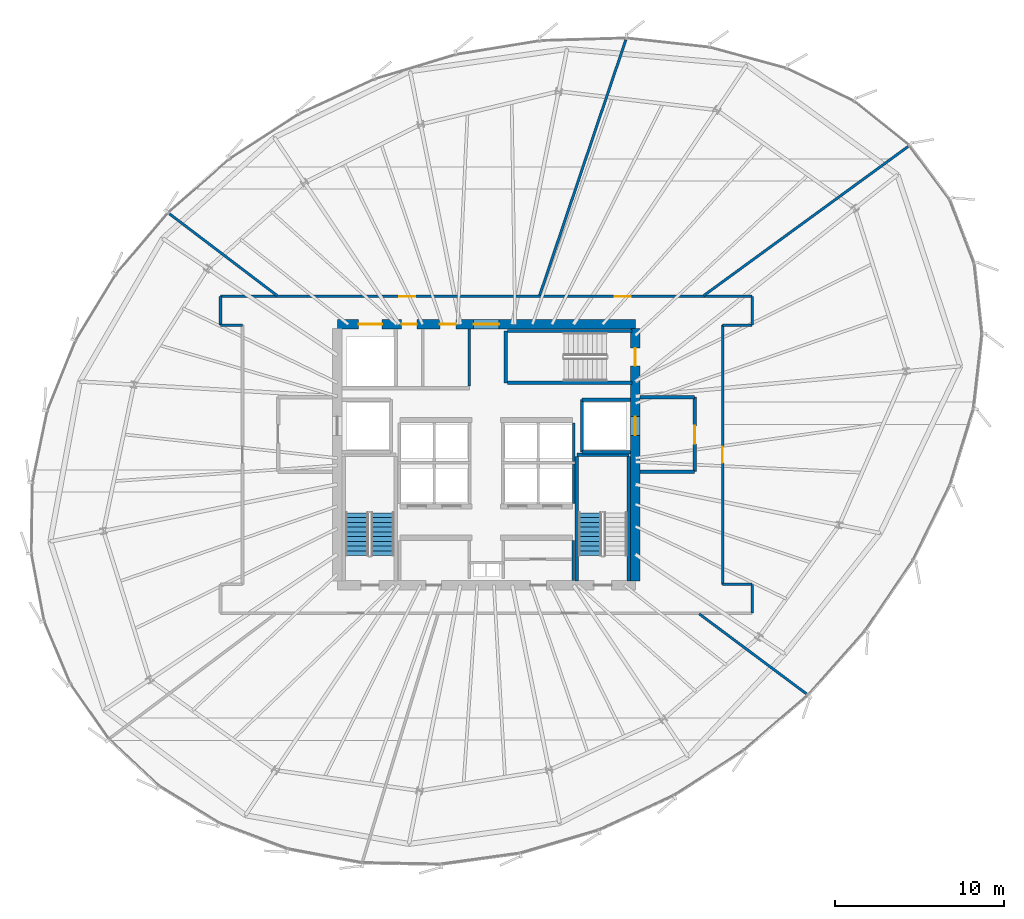
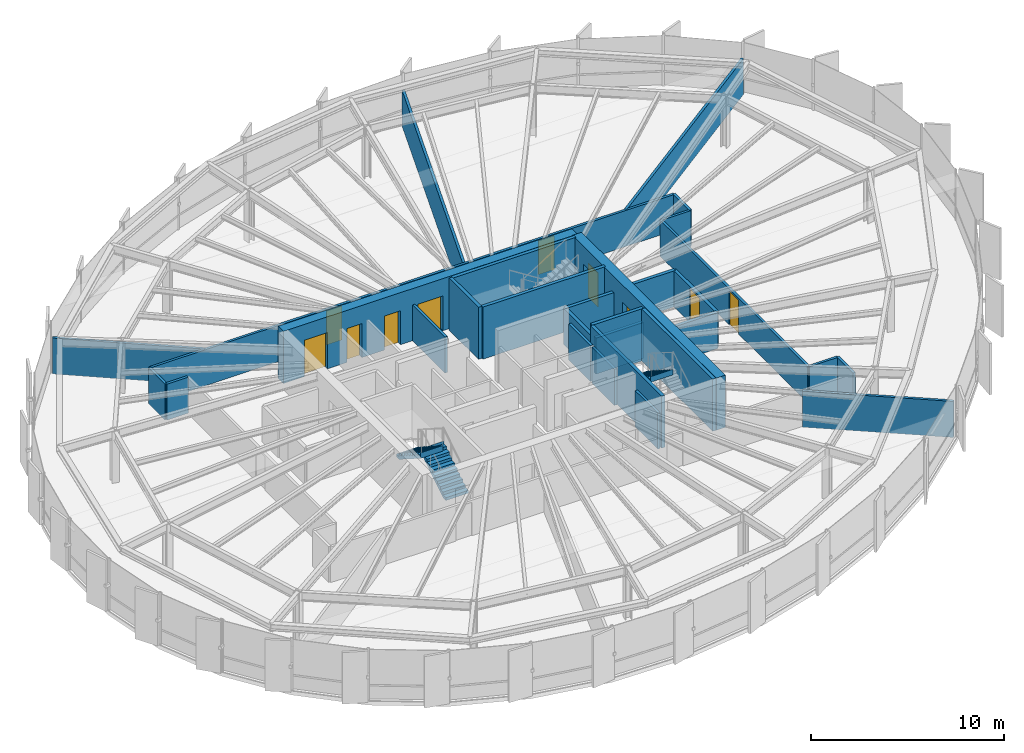
# One storey, part 30 of 36: 30 walls, 10 doors, 3 stair flights, 10 openings, 2 elements without a shape of their own.
"""IFC4 building model written with IfcOpenShell, lengths in metres."""

from ifc_helpers import new_model, si_unit, direction, frame, frame_2d, origin, place, context, subcontext, project, spatial, polyline, rectangle, outline, extrude, source, transform, mapped, material, layer, layer_set, type_object, element, fill, aggregate, save


model = new_model("IFC4")

# Units and contexts
model_context = context("Model", 3, precision=1e-05, world=origin(), true_north=direction((0.0, 1.0)))
body_context = subcontext(model_context, "Body", "Model", "MODEL_VIEW")
ifc_project = project(units=[si_unit("LENGTHUNIT", "METRE"), si_unit("AREAUNIT", "SQUARE_METRE"), si_unit("VOLUMEUNIT", "CUBIC_METRE"), si_unit("PLANEANGLEUNIT", "RADIAN"), si_unit("MASSUNIT", "GRAM", prefix="KILO"), si_unit("THERMODYNAMICTEMPERATUREUNIT", "KELVIN")], contexts=[model_context])

# Site, building, storey
site_placement = place(None, origin())
site = spatial("IfcSite", under=ifc_project, at=site_placement, CompositionType="ELEMENT")
building_placement = place(site_placement, origin())
building = spatial("IfcBuilding", under=site, at=building_placement, Name="Kethvar Cultural Tower", CompositionType="ELEMENT")
storey_placement = place(building_placement, frame((0.0, 0.0, 150.10009765625)))
storey = spatial("IfcBuildingStorey", under=building, at=storey_placement, Name="L38", CompositionType="ELEMENT", Elevation=150.10009765625)

# Wall, openings, doors
ifc_material_1 = material(Name="Concrete C60/75", Category="concrete")
ifc_layer_1 = layer(ifc_material_1, 0.550048828125, Name="Concrete C60/75", Category="concrete")
ifc_layer_set_1 = layer_set([ifc_layer_1], Name="Concrete C60/75 (550 mm)")
wall_type_1 = type_object("IfcWallType", Name="WL-CORE-550", PredefinedType="SHEAR", material=ifc_layer_set_1)
wall_1_placement = place(storey_placement, frame((55.60009765625, 35.5, 0.0), z_axis=(0.0, 0.0, 1.0), x_axis=(-1.0, 0.0, 0.0)))
wall_1 = element("IfcWall", 1, at=wall_1_placement, inside=storey, type_object=wall_type_1, Name="L38 Core Shear Wall N", PredefinedType="SHEAR", context=body_context, shape_type="SweptSolid", body=[
    extrude(rectangle(XDim=17.60009765625, YDim=0.550048828125, at=frame_2d((8.800048828125, 0.0))), origin(), (0.0, 0.0, 1.0), 3.2998046875),
])
opening_1_placement = place(wall_1_placement, frame((8.050048828125, 0.0, 0.0)))
opening_1 = element("IfcOpeningElement", 2, at=opening_1_placement, cuts=wall_1, Name="Opening D-L38-LN", PredefinedType="OPENING", context=body_context, shape_type="SweptSolid", body=[
    extrude(rectangle(XDim=1.5, YDim=2.199951171875, at=frame_2d((0.75, 1.10009765625))), frame((0.0, 0.284912109375, 0.0), z_axis=(0.0, -1.0, 0.0), x_axis=(1.0, 0.0, 0.0)), (0.0, 0.0, 1.0), 0.570068359375),
])
opening_2_placement = place(wall_1_placement, frame((14.949951171875, 0.0, 0.0)))
opening_2 = element("IfcOpeningElement", 3, at=opening_2_placement, cuts=wall_1, Name="Opening LD-G1", PredefinedType="OPENING", context=body_context, shape_type="SweptSolid", body=[
    extrude(rectangle(XDim=1.39990234375, YDim=2.300048828125, at=frame_2d((0.699951171875, 1.14990234375))), frame((0.0, 0.284912109375, 0.0), z_axis=(0.0, -1.0, 0.0), x_axis=(1.0, 0.0, 0.0)), (0.0, 0.0, 1.0), 0.570068359375),
])
opening_3_placement = place(wall_1_placement, frame((12.89990234375, 0.0, 0.0)))
opening_3 = element("IfcOpeningElement", 4, at=opening_3_placement, cuts=wall_1, Name="Opening D-L38-W1", PredefinedType="OPENING", context=body_context, shape_type="SweptSolid", body=[
    extrude(rectangle(XDim=0.89990234375, YDim=2.14990234375, at=frame_2d((0.449951171875, 1.074951171875))), frame((0.0, 0.284912109375, 0.0), z_axis=(0.0, -1.0, 0.0), x_axis=(1.0, 0.0, 0.0)), (0.0, 0.0, 1.0), 0.570068359375),
])
opening_4_placement = place(wall_1_placement, frame((10.60009765625, 0.0, 0.0)))
opening_4 = element("IfcOpeningElement", 5, at=opening_4_placement, cuts=wall_1, Name="Opening D-L38-W2", PredefinedType="OPENING", context=body_context, shape_type="SweptSolid", body=[
    extrude(rectangle(XDim=0.949951171875, YDim=2.14990234375, at=frame_2d((0.47509765625, 1.074951171875))), frame((0.0, 0.284912109375, 0.0), z_axis=(0.0, -1.0, 0.0), x_axis=(1.0, 0.0, 0.0)), (0.0, 0.0, 1.0), 0.570068359375),
])
ifc_material_2 = material(Name="Architectural Oak Timber", Category="wood")
door_type_1 = type_object("IfcDoorType", Name="DR-DBL-FD60-1500", OperationType="DOUBLE_DOOR_SINGLE_SWING", PredefinedType="DOOR", material=ifc_material_2)
shared_shape_1 = source(origin(), body_context, "Body", "SweptSolid", [
    extrude(rectangle(XDim=1.5, YDim=2.199951171875, at=frame_2d((0.75, 1.10009765625))), frame((0.0, 0.02490234375, 0.0), z_axis=(0.0, -1.0, 0.0), x_axis=(1.0, 0.0, 0.0)), (0.0, 0.0, 1.0), 0.050048828125),
])
door_1_placement = place(opening_1_placement, origin())
door_1 = element("IfcDoor", 6, at=door_1_placement, inside=storey, type_object=door_type_1, Name="L38 Lift Lobby Concourse Door", OperationType="DOUBLE_DOOR_SINGLE_SWING", OverallHeight=2.199951171875, OverallWidth=1.5, PredefinedType="DOOR", context=body_context, shape_type="MappedRepresentation", body=[
    mapped(shared_shape_1, transform((0.0, 0.0, 0.0), scale=1.0)),
])
fill(opening_1, door_1)
ifc_material_3 = material(Name="Steel S355J2", Category="steel")
door_type_2 = type_object("IfcDoorType", Name="DR-LIFT-SLIDE-1400", OperationType="NOTDEFINED", PredefinedType="DOOR", material=ifc_material_3)
shared_shape_2 = source(origin(), body_context, "Body", "SweptSolid", [
    extrude(rectangle(XDim=1.39990234375, YDim=2.300048828125, at=frame_2d((0.699951171875, 1.14990234375))), frame((0.0, 0.02490234375, 0.0), z_axis=(0.0, -1.0, 0.0), x_axis=(1.0, 0.0, 0.0)), (0.0, 0.0, 1.0), 0.050048828125),
])
door_2_placement = place(opening_2_placement, origin())
door_2 = element("IfcDoor", 7, at=door_2_placement, inside=storey, type_object=door_type_2, Name="L38 Goods Lift Landing Door", OperationType="SLIDING_TO_RIGHT", OverallHeight=2.300048828125, OverallWidth=1.39990234375, PredefinedType="DOOR", context=body_context, shape_type="MappedRepresentation", body=[
    mapped(shared_shape_2, transform((0.0, 0.0, 0.0), scale=1.0)),
])
fill(opening_2, door_2)
door_type_3 = type_object("IfcDoorType", Name="DR-FD30-950", OperationType="NOTDEFINED", PredefinedType="DOOR", material=ifc_material_2)
shared_shape_3 = source(origin(), body_context, "Body", "SweptSolid", [
    extrude(rectangle(XDim=0.949951171875, YDim=2.14990234375, at=frame_2d((0.47509765625, 1.074951171875))), frame((0.0, 0.02490234375, 0.0), z_axis=(0.0, -1.0, 0.0), x_axis=(1.0, 0.0, 0.0)), (0.0, 0.0, 1.0), 0.050048828125),
])
door_3_placement = place(opening_4_placement, origin())
door_3 = element("IfcDoor", 8, at=door_3_placement, inside=storey, type_object=door_type_3, Name="L38 Public Washroom Door", OperationType="SINGLE_SWING_RIGHT", OverallHeight=2.14990234375, OverallWidth=0.949951171875, PredefinedType="DOOR", context=body_context, shape_type="MappedRepresentation", body=[
    mapped(shared_shape_3, transform((0.0, 0.0, 0.0), scale=1.0)),
])
fill(opening_4, door_3)
door_type_4 = type_object("IfcDoorType", Name="DR-FD30-900", OperationType="NOTDEFINED", PredefinedType="DOOR", material=ifc_material_2)
shared_shape_4 = source(origin(), body_context, "Body", "SweptSolid", [
    extrude(rectangle(XDim=0.89990234375, YDim=2.14990234375, at=frame_2d((0.449951171875, 1.074951171875))), frame((0.0, 0.02490234375, 0.0), z_axis=(0.0, -1.0, 0.0), x_axis=(1.0, 0.0, 0.0)), (0.0, 0.0, 1.0), 0.050048828125),
])
door_4_placement = place(opening_3_placement, origin())
door_4 = element("IfcDoor", 9, at=door_4_placement, inside=storey, type_object=door_type_4, Name="L38 Accessible Washroom Door", OperationType="SINGLE_SWING_LEFT", OverallHeight=2.14990234375, OverallWidth=0.89990234375, PredefinedType="DOOR", context=body_context, shape_type="MappedRepresentation", body=[
    mapped(shared_shape_4, transform((0.0, 0.0, 0.0), scale=1.0)),
])
fill(opening_3, door_4)

wall_2_placement = place(storey_placement, frame((55.60009765625, 20.340087890625, 0.0), z_axis=(0.0, 0.0, 1.0), x_axis=(0.0, 1.0, 0.0)))
wall_2 = element("IfcWall", 10, at=wall_2_placement, inside=storey, type_object=wall_type_1, Name="L38 Core Shear Wall E", PredefinedType="SHEAR", context=body_context, shape_type="SweptSolid", body=[
    extrude(rectangle(XDim=14.919921875, YDim=0.550048828125, at=frame_2d((7.4599609375, 0.0))), origin(), (0.0, 0.0, 1.0), 3.2998046875),
])
opening_5_placement = place(wall_2_placement, frame((12.7099609375, 0.0, 0.0)))
opening_5 = element("IfcOpeningElement", 11, at=opening_5_placement, cuts=wall_2, Name="Opening D-L38-S3", PredefinedType="OPENING", context=body_context, shape_type="SweptSolid", body=[
    extrude(rectangle(XDim=1.050048828125, YDim=2.14990234375, at=frame_2d((0.52490234375, 1.074951171875))), frame((0.0, 0.284912109375, 0.0), z_axis=(0.0, -1.0, 0.0), x_axis=(1.0, 0.0, 0.0)), (0.0, 0.0, 1.0), 0.570068359375),
])
opening_6_placement = place(wall_2_placement, frame((8.610107421875, 0.0, 0.0)))
opening_6 = element("IfcOpeningElement", 12, at=opening_6_placement, cuts=wall_2, Name="Opening LD-2", PredefinedType="OPENING", context=body_context, shape_type="SweptSolid", body=[
    extrude(rectangle(XDim=1.10009765625, YDim=2.199951171875, at=frame_2d((0.550048828125, 1.10009765625))), frame((0.0, 0.284912109375, 0.0), z_axis=(0.0, -1.0, 0.0), x_axis=(1.0, 0.0, 0.0)), (0.0, 0.0, 1.0), 0.570068359375),
])
door_type_5 = type_object("IfcDoorType", Name="DR-FD60-1050", OperationType="NOTDEFINED", PredefinedType="DOOR", material=ifc_material_3)
shared_shape_5 = source(origin(), body_context, "Body", "SweptSolid", [
    extrude(rectangle(XDim=1.050048828125, YDim=2.14990234375, at=frame_2d((0.52490234375, 1.074951171875))), frame((0.0, 0.02490234375, 0.0), z_axis=(0.0, -1.0, 0.0), x_axis=(1.0, 0.0, 0.0)), (0.0, 0.0, 1.0), 0.050048828125),
])
door_5_placement = place(opening_5_placement, origin())
door_5 = element("IfcDoor", 13, at=door_5_placement, inside=storey, type_object=door_type_5, Name="L38 Exit Stair 3 Door", OperationType="SINGLE_SWING_LEFT", OverallHeight=2.14990234375, OverallWidth=1.050048828125, PredefinedType="DOOR", context=body_context, shape_type="MappedRepresentation", body=[
    mapped(shared_shape_5, transform((0.0, 0.0, 0.0), scale=1.0)),
])
fill(opening_5, door_5)
door_type_6 = type_object("IfcDoorType", Name="DR-LIFT-SLIDE-1100", OperationType="NOTDEFINED", PredefinedType="DOOR", material=ifc_material_3)
shared_shape_6 = source(origin(), body_context, "Body", "SweptSolid", [
    extrude(rectangle(XDim=1.10009765625, YDim=2.199951171875, at=frame_2d((0.550048828125, 1.10009765625))), frame((0.0, 0.02490234375, 0.0), z_axis=(0.0, -1.0, 0.0), x_axis=(1.0, 0.0, 0.0)), (0.0, 0.0, 1.0), 0.050048828125),
])
door_6_placement = place(opening_6_placement, origin())
door_6 = element("IfcDoor", 14, at=door_6_placement, inside=storey, type_object=door_type_6, Name="L38 Firefighting Lift Landing Door FFL-02", OperationType="SLIDING_TO_RIGHT", OverallHeight=2.199951171875, OverallWidth=1.10009765625, PredefinedType="DOOR", context=body_context, shape_type="MappedRepresentation", body=[
    mapped(shared_shape_6, transform((0.0, 0.0, 0.0), scale=1.0)),
])
fill(opening_6, door_6)

# Walls
ifc_material_4 = material(Name="Gypsum Fireboard Partition")
ifc_layer_2 = layer(ifc_material_4, 0.14990234375, Name="Gypsum Fireboard Partition")
ifc_layer_set_2 = layer_set([ifc_layer_2], Name="Gypsum Fireboard Partition (150 mm)")
wall_type_2 = type_object("IfcWallType", Name="WL-FIRE-150", PredefinedType="PARTITIONING", material=ifc_layer_set_2)
wall_3_placement = place(storey_placement, frame((51.919921875, 20.385009765625, 0.0), z_axis=(0.0, 0.0, 1.0), x_axis=(0.0, 1.0, 0.0)))
element("IfcWall", 15, at=wall_3_placement, inside=storey, type_object=wall_type_2, Name="L38 Reclaimed East Outer Wall", PredefinedType="PARTITIONING", context=body_context, shape_type="SweptSolid", body=[
    extrude(rectangle(XDim=2.344970703125, YDim=0.14990234375, at=frame_2d((1.17236328125, 0.0))), origin(), (0.0, 0.0, 1.0), 2.27978515625),
])
wall_4_placement = place(storey_placement, frame((51.949951171875, 24.919921875, 0.0), z_axis=(0.0, 0.0, 1.0), x_axis=(0.0, 1.0, 0.0)))
element("IfcWall", 16, at=wall_4_placement, inside=storey, type_object=wall_type_2, Name="L38 Mid-Rise Lift Shaft Outer Wall E", PredefinedType="PARTITIONING", context=body_context, shape_type="SweptSolid", body=[
    extrude(rectangle(XDim=2.320068359375, YDim=0.14990234375, at=frame_2d((1.16015625, 0.0))), origin(), (0.0, 0.0, 1.0), 2.27978515625),
])
wall_5_placement = place(storey_placement, frame((51.949951171875, 27.409912109375, 0.0), z_axis=(0.0, 0.0, 1.0), x_axis=(0.0, 1.0, 0.0)))
element("IfcWall", 17, at=wall_5_placement, inside=storey, type_object=wall_type_2, Name="L38 High-Rise Lift Shaft Outer Wall E", PredefinedType="PARTITIONING", context=body_context, shape_type="SweptSolid", body=[
    extrude(rectangle(XDim=2.27001953125, YDim=0.14990234375, at=frame_2d((1.135009765625, 0.0))), origin(), (0.0, 0.0, 1.0), 2.27978515625),
])
wall_6_placement = place(storey_placement, frame((45.800048828125, 31.85009765625, 0.0), z_axis=(0.0, 0.0, 1.0), x_axis=(0.0, 1.0, 0.0)))
element("IfcWall", 18, at=wall_6_placement, inside=storey, type_object=wall_type_2, Name="L38 Sanitary Spine Wall", PredefinedType="PARTITIONING", context=body_context, shape_type="SweptSolid", body=[
    extrude(rectangle(XDim=3.364990234375, YDim=0.14990234375, at=frame_2d((1.6826171875, 0.0))), origin(), (0.0, 0.0, 1.0), 2.27978515625),
])
wall_7_placement = place(storey_placement, frame((62.5, 18.449951171875, 0.0), z_axis=(0.0, 0.0, 1.0), x_axis=(0.0, 1.0, 0.0)))
element("IfcWall", 19, at=wall_7_placement, inside=storey, type_object=wall_type_2, Name="L38 Corridor Rated Wall ES", PredefinedType="PARTITIONING", context=body_context, shape_type="SweptSolid", body=[
    extrude(rectangle(XDim=1.699951171875, YDim=0.14990234375, at=frame_2d((0.85009765625, 0.0))), origin(), (0.0, 0.0, 1.0), 2.27978515625),
])
wall_8_placement = place(storey_placement, frame((62.5, 20.14990234375, 0.0), z_axis=(0.0, 0.0, 1.0), x_axis=(-1.0, 0.0, 0.0)))
element("IfcWall", 20, at=wall_8_placement, inside=storey, type_object=wall_type_2, Name="L38 Corridor Rated Wall EST", PredefinedType="PARTITIONING", context=body_context, shape_type="SweptSolid", body=[
    extrude(rectangle(XDim=1.75, YDim=0.14990234375, at=frame_2d((0.875, 0.0))), origin(), (0.0, 0.0, 1.0), 2.27978515625),
])

# Wall, opening, door
wall_9_placement = place(storey_placement, frame((60.75, 20.14990234375, 0.0), z_axis=(0.0, 0.0, 1.0), x_axis=(0.0, 1.0, 0.0)))
wall_9 = element("IfcWall", 21, at=wall_9_placement, inside=storey, type_object=wall_type_2, Name="L38 Corridor Rated Wall EM", PredefinedType="PARTITIONING", context=body_context, shape_type="SweptSolid", body=[
    extrude(rectangle(XDim=15.300048828125, YDim=0.14990234375, at=frame_2d((7.64990234375, 0.0))), origin(), (0.0, 0.0, 1.0), 2.27978515625),
])
opening_7_placement = place(wall_9_placement, frame((7.175048828125, 0.0, 0.0)))
opening_7 = element("IfcOpeningElement", 22, at=opening_7_placement, cuts=wall_9, Name="Opening D-L38-03", PredefinedType="OPENING", context=body_context, shape_type="SweptSolid", body=[
    extrude(rectangle(XDim=0.949951171875, YDim=2.14990234375, at=frame_2d((0.47509765625, 1.074951171875))), frame((0.0, 0.0849609375, 0.0), z_axis=(0.0, -1.0, 0.0), x_axis=(1.0, 0.0, 0.0)), (0.0, 0.0, 1.0), 0.169921875),
])
door_7_placement = place(opening_7_placement, origin())
door_7 = element("IfcDoor", 23, at=door_7_placement, inside=storey, type_object=door_type_3, Name="L38 Researchers' Study Lounge 03 Door", OperationType="SINGLE_SWING_LEFT", OverallHeight=2.14990234375, OverallWidth=0.949951171875, PredefinedType="DOOR", context=body_context, shape_type="MappedRepresentation", body=[
    mapped(shared_shape_3, transform((0.0, 0.0, 0.0), scale=1.0)),
])
fill(opening_7, door_7)

# Walls
wall_10_placement = place(storey_placement, frame((60.75, 35.449951171875, 0.0), z_axis=(0.0, 0.0, 1.0), x_axis=(1.0, 0.0, 0.0)))
element("IfcWall", 24, at=wall_10_placement, inside=storey, type_object=wall_type_2, Name="L38 Corridor Rated Wall ENT", PredefinedType="PARTITIONING", context=body_context, shape_type="SweptSolid", body=[
    extrude(rectangle(XDim=1.75, YDim=0.14990234375, at=frame_2d((0.875, 0.0))), origin(), (0.0, 0.0, 1.0), 2.27978515625),
])
wall_11_placement = place(storey_placement, frame((62.5, 35.449951171875, 0.0), z_axis=(0.0, 0.0, 1.0), x_axis=(0.0, 1.0, 0.0)))
element("IfcWall", 25, at=wall_11_placement, inside=storey, type_object=wall_type_2, Name="L38 Corridor Rated Wall EN", PredefinedType="PARTITIONING", context=body_context, shape_type="SweptSolid", body=[
    extrude(rectangle(XDim=1.699951171875, YDim=0.14990234375, at=frame_2d((0.85009765625, 0.0))), origin(), (0.0, 0.0, 1.0), 2.27978515625),
])

# Wall, openings, doors
wall_12_placement = place(storey_placement, frame((62.5, 37.14990234375, 0.0), z_axis=(0.0, 0.0, 1.0), x_axis=(-1.0, 0.0, 0.0)))
wall_12 = element("IfcWall", 26, at=wall_12_placement, inside=storey, type_object=wall_type_2, Name="L38 Corridor Rated Wall N", PredefinedType="PARTITIONING", context=body_context, shape_type="SweptSolid", body=[
    extrude(rectangle(XDim=31.39990234375, YDim=0.14990234375, at=frame_2d((15.699951171875, 0.0))), origin(), (0.0, 0.0, 1.0), 2.27978515625),
])
opening_8_placement = place(wall_12_placement, frame((7.17919921875, 0.0, 0.0)))
opening_8 = element("IfcOpeningElement", 27, at=opening_8_placement, cuts=wall_12, Name="Opening D-L38-04", PredefinedType="OPENING", context=body_context, shape_type="SweptSolid", body=[
    extrude(rectangle(XDim=0.949951171875, YDim=2.14990234375, at=frame_2d((0.47509765625, 1.074951171875))), frame((0.0, 0.0849609375, 0.0), z_axis=(0.0, -1.0, 0.0), x_axis=(1.0, 0.0, 0.0)), (0.0, 0.0, 1.0), 0.169921875),
])
opening_9_placement = place(wall_12_placement, frame((19.890380859375, 0.0, 0.0)))
opening_9 = element("IfcOpeningElement", 28, at=opening_9_placement, cuts=wall_12, Name="Opening D-L38-05", PredefinedType="OPENING", context=body_context, shape_type="SweptSolid", body=[
    extrude(rectangle(XDim=0.949951171875, YDim=2.14990234375, at=frame_2d((0.47509765625, 1.074951171875))), frame((0.0, 0.0849609375, 0.0), z_axis=(0.0, -1.0, 0.0), x_axis=(1.0, 0.0, 0.0)), (0.0, 0.0, 1.0), 0.169921875),
])
door_8_placement = place(opening_8_placement, origin())
door_8 = element("IfcDoor", 29, at=door_8_placement, inside=storey, type_object=door_type_3, Name="L38 Cultural Event Salon 04 Door", OperationType="SINGLE_SWING_RIGHT", OverallHeight=2.14990234375, OverallWidth=0.949951171875, PredefinedType="DOOR", context=body_context, shape_type="MappedRepresentation", body=[
    mapped(shared_shape_3, transform((0.0, 0.0, 0.0), scale=1.0)),
])
fill(opening_8, door_8)
door_9_placement = place(opening_9_placement, origin())
door_9 = element("IfcDoor", 30, at=door_9_placement, inside=storey, type_object=door_type_3, Name="L38 Founders' Reception 05 Door", OperationType="SINGLE_SWING_LEFT", OverallHeight=2.14990234375, OverallWidth=0.949951171875, PredefinedType="DOOR", context=body_context, shape_type="MappedRepresentation", body=[
    mapped(shared_shape_3, transform((0.0, 0.0, 0.0), scale=1.0)),
])
fill(opening_9, door_9)

# Walls
wall_13_placement = place(storey_placement, frame((31.10009765625, 37.14990234375, 0.0), z_axis=(0.0, 0.0, 1.0), x_axis=(0.0, -1.0, 0.0)))
element("IfcWall", 31, at=wall_13_placement, inside=storey, type_object=wall_type_2, Name="L38 Corridor Rated Wall WN", PredefinedType="PARTITIONING", context=body_context, shape_type="SweptSolid", body=[
    extrude(rectangle(XDim=1.699951171875, YDim=0.14990234375, at=frame_2d((0.85009765625, 0.0))), origin(), (0.0, 0.0, 1.0), 2.27978515625),
])
wall_14_placement = place(storey_placement, frame((31.10009765625, 35.449951171875, 0.0), z_axis=(0.0, 0.0, 1.0), x_axis=(1.0, 0.0, 0.0)))
element("IfcWall", 32, at=wall_14_placement, inside=storey, type_object=wall_type_2, Name="L38 Corridor Rated Wall WNT", PredefinedType="PARTITIONING", context=body_context, shape_type="SweptSolid", body=[
    extrude(rectangle(XDim=1.2998046875, YDim=0.14990234375, at=frame_2d((0.64990234375, 0.0))), origin(), (0.0, 0.0, 1.0), 2.27978515625),
])
ifc_material_5 = material(Name="Concrete C40/50", Category="concrete")
ifc_layer_3 = layer(ifc_material_5, 0.199951171875, Name="Concrete C40/50", Category="concrete")
ifc_layer_set_3 = layer_set([ifc_layer_3], Name="Concrete C40/50 (200 mm)")
wall_type_3 = type_object("IfcWallType", Name="WL-FIRE-200", PredefinedType="PARTITIONING", material=ifc_layer_set_3)
wall_15_placement = place(storey_placement, frame((52.449951171875, 27.949951171875, 0.0), z_axis=(0.0, 0.0, 1.0), x_axis=(0.0, 1.0, 0.0)))
element("IfcWall", 33, at=wall_15_placement, inside=storey, type_object=wall_type_3, Name="L38 FFL-02 Shaft Inner Wall", PredefinedType="PARTITIONING", context=body_context, shape_type="SweptSolid", body=[
    extrude(rectangle(XDim=3.10009765625, YDim=0.199951171875, at=frame_2d((1.550048828125, 0.0))), origin(), (0.0, 0.0, 1.0), 2.27978515625),
])
for number, where, z_axis, x_axis, name in (
    (34, (52.449951171875, 27.949951171875, 0.0), (0.0, 0.0, 1.0), (1.0, 0.0, 0.0), "L38 FFL-02 Shaft South Wall"),
    (35, (52.449951171875, 31.050048828125, 0.0), (0.0, 0.0, 1.0), (1.0, 0.0, 0.0), "L38 FFL-02 Shaft North Wall"),
):
    element("IfcWall", number, at=place(storey_placement, frame(where, z_axis=z_axis, x_axis=x_axis)), inside=storey, type_object=wall_type_3, Name=name, PredefinedType="PARTITIONING", context=body_context, shape_type="SweptSolid", body=[
        extrude(rectangle(XDim=2.864990234375, YDim=0.199951171875, at=frame_2d((1.4326171875, 0.0))), origin(), (0.0, 0.0, 1.0), 2.27978515625),
    ])

# Wall, opening, door
wall_16_placement = place(storey_placement, frame((59.10009765625, 26.800048828125, 0.0), z_axis=(0.0, 0.0, 1.0), x_axis=(0.0, 1.0, 0.0)))
wall_16 = element("IfcWall", 36, at=wall_16_placement, inside=storey, type_object=wall_type_3, Name="L38 Firefighting Lobby 2 Wall", PredefinedType="PARTITIONING", context=body_context, shape_type="SweptSolid", body=[
    extrude(rectangle(XDim=4.39990234375, YDim=0.199951171875, at=frame_2d((2.199951171875, 0.0))), origin(), (0.0, 0.0, 1.0), 2.27978515625),
])
opening_10_placement = place(wall_16_placement, frame((1.64990234375, 0.0, 0.0)))
opening_10 = element("IfcOpeningElement", 37, at=opening_10_placement, cuts=wall_16, Name="Opening D-L38-F2", PredefinedType="OPENING", context=body_context, shape_type="SweptSolid", body=[
    extrude(rectangle(XDim=1.050048828125, YDim=2.14990234375, at=frame_2d((0.52490234375, 1.074951171875))), frame((0.0, 0.10986328125, 0.0), z_axis=(0.0, -1.0, 0.0), x_axis=(1.0, 0.0, 0.0)), (0.0, 0.0, 1.0), 0.219970703125),
])
door_10_placement = place(opening_10_placement, origin())
door_10 = element("IfcDoor", 38, at=door_10_placement, inside=storey, type_object=door_type_5, Name="L38 Firefighting Lobby 2 Fire Door", OperationType="SINGLE_SWING_LEFT", OverallHeight=2.14990234375, OverallWidth=1.050048828125, PredefinedType="DOOR", context=body_context, shape_type="MappedRepresentation", body=[
    mapped(shared_shape_5, transform((0.0, 0.0, 0.0), scale=1.0)),
])
fill(opening_10, door_10)

# Walls
for number, where, z_axis, x_axis, name in (
    (39, (55.885009765625, 26.800048828125, 0.0), (0.0, 0.0, 1.0), (1.0, 0.0, 0.0), "L38 FF Lobby 2 South Wall"),
    (40, (55.885009765625, 31.199951171875, 0.0), (0.0, 0.0, 1.0), (1.0, 0.0, 0.0), "L38 FF Lobby 2 North Wall"),
):
    element("IfcWall", number, at=place(storey_placement, frame(where, z_axis=z_axis, x_axis=x_axis)), inside=storey, type_object=wall_type_3, Name=name, PredefinedType="PARTITIONING", context=body_context, shape_type="SweptSolid", body=[
        extrude(rectangle(XDim=3.215087890625, YDim=0.199951171875, at=frame_2d((1.607421875, 0.0))), origin(), (0.0, 0.0, 1.0), 2.27978515625),
    ])
ifc_material_6 = material(Name="Gypsum Acoustic Partition")
ifc_layer_4 = layer(ifc_material_6, 0.14990234375, Name="Gypsum Acoustic Partition")
ifc_layer_set_4 = layer_set([ifc_layer_4], Name="Gypsum Acoustic Partition (150 mm)")
wall_type_4 = type_object("IfcWallType", Name="WL-PART-150", PredefinedType="PARTITIONING", material=ifc_layer_set_4)
wall_17_placement = place(storey_placement, frame((59.372802734375, 18.402099609375, 0.0), z_axis=(0.0, 0.0, 1.0), x_axis=(0.801659629697, -0.59778076091, 0.0)))
element("IfcWall", 41, at=wall_17_placement, inside=storey, type_object=wall_type_4, Name="L38 Radial Partition Wall 03", PredefinedType="PARTITIONING", context=body_context, shape_type="SweptSolid", body=[
    extrude(rectangle(XDim=7.893798828125, YDim=0.14990234375, at=frame_2d((3.94677734375, 0.0))), origin(), (0.0, 0.0, 1.0), 2.27978515625),
])
wall_18_placement = place(storey_placement, frame((59.63427734375, 37.197021484375, 0.0), z_axis=(0.0, 0.0, 1.0), x_axis=(0.807951901315, 0.58924844095, 0.0)))
element("IfcWall", 42, at=wall_18_placement, inside=storey, type_object=wall_type_4, Name="L38 Radial Partition Wall 04", PredefinedType="PARTITIONING", context=body_context, shape_type="SweptSolid", body=[
    extrude(rectangle(XDim=14.9306640625, YDim=0.14990234375, at=frame_2d((7.46533203125, 0.0))), origin(), (0.0, 0.0, 1.0), 2.27978515625),
])
wall_19_placement = place(storey_placement, frame((49.95361328125, 37.225830078125, 0.0), z_axis=(0.0, 0.0, 1.0), x_axis=(0.319485991286, 0.947590998993, 0.0)))
element("IfcWall", 43, at=wall_19_placement, inside=storey, type_object=wall_type_4, Name="L38 Radial Partition Wall 05", PredefinedType="PARTITIONING", context=body_context, shape_type="SweptSolid", body=[
    extrude(rectangle(XDim=15.90625, YDim=0.14990234375, at=frame_2d((7.953125, 0.0))), origin(), (0.0, 0.0, 1.0), 2.27978515625),
])
wall_20_placement = place(storey_placement, frame((34.444580078125, 37.198486328125, 0.0), z_axis=(0.0, 0.0, 1.0), x_axis=(-0.796342033143, 0.60484656422, 0.0)))
element("IfcWall", 44, at=wall_20_placement, inside=storey, type_object=wall_type_4, Name="L38 Radial Partition Wall 06", PredefinedType="PARTITIONING", context=body_context, shape_type="SweptSolid", body=[
    extrude(rectangle(XDim=7.97705078125, YDim=0.14990234375, at=frame_2d((3.988525390625, 0.0))), origin(), (0.0, 0.0, 1.0), 2.27978515625),
])
ifc_material_7 = material(Name="Concrete C50/60", Category="concrete")
ifc_layer_5 = layer(ifc_material_7, 0.199951171875, Name="Concrete C50/60", Category="concrete")
ifc_layer_set_5 = layer_set([ifc_layer_5], Name="Concrete C50/60 (200 mm)")
wall_type_5 = type_object("IfcWallType", Name="WL-STSHAFT-200", PredefinedType="SHEAR", material=ifc_layer_set_5)
wall_21_placement = place(storey_placement, frame((52.14990234375, 27.800048828125, 0.0), z_axis=(0.0, 0.0, 1.0), x_axis=(1.0, 0.0, 0.0)))
element("IfcWall", 45, at=wall_21_placement, inside=storey, type_object=wall_type_5, Name="L38 ST-02 Stair Shaft Wall FAR", PredefinedType="SHEAR", context=body_context, shape_type="SweptSolid", body=[
    extrude(rectangle(XDim=3.06005859375, YDim=0.199951171875, at=frame_2d((1.530029296875, 0.0))), origin(), (0.0, 0.0, 1.0), 3.2998046875),
])
for number, where, z_axis, x_axis, name in (
    (46, (55.2099609375, 27.699951171875, 0.0), (0.0, 0.0, 1.0), (0.0, -1.0, 0.0), "L38 ST-02 Stair Shaft Wall LEFT"),
    (47, (52.14990234375, 20.35009765625, 0.0), (0.0, 0.0, 1.0), (0.0, 1.0, 0.0), "L38 ST-02 Stair Shaft Wall RIGHT"),
):
    element("IfcWall", number, at=place(storey_placement, frame(where, z_axis=z_axis, x_axis=x_axis)), inside=storey, type_object=wall_type_5, Name=name, PredefinedType="SHEAR", context=body_context, shape_type="SweptSolid", body=[
        extrude(rectangle(XDim=7.349853515625, YDim=0.199951171875, at=frame_2d((3.6748046875, 0.0))), origin(), (0.0, 0.0, 1.0), 3.2998046875),
    ])
wall_22_placement = place(storey_placement, frame((47.949951171875, 32.050048828125, 0.0), z_axis=(0.0, 0.0, 1.0), x_axis=(0.0, 1.0, 0.0)))
element("IfcWall", 48, at=wall_22_placement, inside=storey, type_object=wall_type_5, Name="L38 ST-03 Stair Shaft Wall FAR", PredefinedType="SHEAR", context=body_context, shape_type="SweptSolid", body=[
    extrude(rectangle(XDim=3.06005859375, YDim=0.199951171875, at=frame_2d((1.530029296875, 0.0))), origin(), (0.0, 0.0, 1.0), 3.2998046875),
])
for number, where, z_axis, x_axis, name in (
    (49, (48.050048828125, 35.110107421875, 0.0), (0.0, 0.0, 1.0), (1.0, 0.0, 0.0), "L38 ST-03 Stair Shaft Wall LEFT"),
    (50, (55.39990234375, 32.050048828125, 0.0), (0.0, 0.0, 1.0), (-1.0, 0.0, 0.0), "L38 ST-03 Stair Shaft Wall RIGHT"),
):
    element("IfcWall", number, at=place(storey_placement, frame(where, z_axis=z_axis, x_axis=x_axis)), inside=storey, type_object=wall_type_5, Name=name, PredefinedType="SHEAR", context=body_context, shape_type="SweptSolid", body=[
        extrude(rectangle(XDim=7.349853515625, YDim=0.199951171875, at=frame_2d((3.6748046875, 0.0))), origin(), (0.0, 0.0, 1.0), 3.2998046875),
    ])

# Stair, stair flights
stair_type = type_object("IfcStairType", Name="ST-DOGLEG-135", PredefinedType="HALF_TURN_STAIR", material=ifc_material_5)
stair_1_placement = place(storey_placement, origin())
stair_1 = element("IfcStair", 51, at=stair_1_placement, inside=storey, type_object=stair_type, Name="L38 Core Exit Stair 1", PredefinedType="HALF_TURN_STAIR")
stair_flight_type = type_object("IfcStairFlightType", Name="FL-STRAIGHT-135", PredefinedType="STRAIGHT", material=ifc_material_5)
stair_flight_1_placement = place(storey_placement, frame((40.675048828125, 21.85009765625, 0.0), z_axis=(0.0, 0.0, 1.0), x_axis=(0.0, 1.0, 0.0)))
stair_flight_1 = element("IfcStairFlight", 52, at=stair_flight_1_placement, type_object=stair_flight_type, Name="ST-01 flight 1", NumberOfRisers=10, NumberOfTreads=9, PredefinedType="STRAIGHT", RiserHeight=0.1775, TreadLength=0.28, context=body_context, shape_type="SweptSolid", body=[
    extrude(outline(polyline([(-0.0009765625, -0.0009765625), (-0.0009765625, 0.177490234375), (0.280029296875, 0.177490234375), (0.280029296875, 0.35498046875), (0.56005859375, 0.35498046875), (0.56005859375, 0.532470703125), (0.840087890625, 0.532470703125), (0.840087890625, 0.7099609375), (1.1201171875, 0.7099609375), (1.1201171875, 0.887451171875), (1.39990234375, 0.887451171875), (1.39990234375, 1.06494140625), (1.679931640625, 1.06494140625), (1.679931640625, 1.242431640625), (1.9599609375, 1.242431640625), (1.9599609375, 1.419921875), (2.239990234375, 1.419921875), (2.239990234375, 1.597412109375), (2.52001953125, 1.597412109375), (2.52001953125, 1.77490234375), (2.52099609375, 1.77490234375), (2.52099609375, 1.419921875), (0.280029296875, 0.0), (0.0, -0.0009765625), (-0.0009765625, -0.0009765625)])), frame((0.0, 0.675048828125, 0.0), z_axis=(0.0, -1.0, 0.0), x_axis=(1.0, 0.0, 0.0)), (0.0, 0.0, 1.0), 1.35009765625),
])
stair_flight_2_placement = place(storey_placement, frame((39.1650390625, 24.3701171875, 1.77490234375), z_axis=(0.0, 0.0, 1.0), x_axis=(0.0, -1.0, 0.0)))
stair_flight_2 = element("IfcStairFlight", 53, at=stair_flight_2_placement, type_object=stair_flight_type, Name="ST-01 flight 2", NumberOfRisers=10, NumberOfTreads=9, PredefinedType="STRAIGHT", RiserHeight=0.1775, TreadLength=0.28, context=body_context, shape_type="SweptSolid", body=[
    extrude(outline(polyline([(-0.0009765625, -0.0009765625), (-0.0009765625, 0.177490234375), (0.280029296875, 0.177490234375), (0.280029296875, 0.35498046875), (0.56005859375, 0.35498046875), (0.56005859375, 0.532470703125), (0.840087890625, 0.532470703125), (0.840087890625, 0.7099609375), (1.1201171875, 0.7099609375), (1.1201171875, 0.887451171875), (1.39990234375, 0.887451171875), (1.39990234375, 1.06494140625), (1.679931640625, 1.06494140625), (1.679931640625, 1.242431640625), (1.9599609375, 1.242431640625), (1.9599609375, 1.419921875), (2.239990234375, 1.419921875), (2.239990234375, 1.597412109375), (2.52001953125, 1.597412109375), (2.52001953125, 1.77490234375), (2.52099609375, 1.77490234375), (2.52099609375, 1.419921875), (0.280029296875, 0.0), (0.0, -0.0009765625), (-0.0009765625, -0.0009765625)])), frame((0.0, 0.675048828125, 0.0), z_axis=(0.0, -1.0, 0.0), x_axis=(1.0, 0.0, 0.0)), (0.0, 0.0, 1.0), 1.35009765625),
])
aggregate(stair_1, [stair_flight_1, stair_flight_2])

# Stair, stair flight
stair_2_placement = place(storey_placement, origin())
stair_2 = element("IfcStair", 54, at=stair_2_placement, inside=storey, type_object=stair_type, Name="L38 Core Exit Stair 2", PredefinedType="HALF_TURN_STAIR")
stair_flight_3_placement = place(storey_placement, frame((52.925048828125, 24.3701171875, 1.77490234375), z_axis=(0.0, 0.0, 1.0), x_axis=(0.0, -1.0, 0.0)))
stair_flight_3 = element("IfcStairFlight", 55, at=stair_flight_3_placement, type_object=stair_flight_type, Name="ST-02 flight 2", NumberOfRisers=10, NumberOfTreads=9, PredefinedType="STRAIGHT", RiserHeight=0.1775, TreadLength=0.28, context=body_context, shape_type="SweptSolid", body=[
    extrude(outline(polyline([(-0.0009765625, -0.0009765625), (-0.0009765625, 0.177490234375), (0.280029296875, 0.177490234375), (0.280029296875, 0.35498046875), (0.56005859375, 0.35498046875), (0.56005859375, 0.532470703125), (0.840087890625, 0.532470703125), (0.840087890625, 0.7099609375), (1.1201171875, 0.7099609375), (1.1201171875, 0.887451171875), (1.39990234375, 0.887451171875), (1.39990234375, 1.06494140625), (1.679931640625, 1.06494140625), (1.679931640625, 1.242431640625), (1.9599609375, 1.242431640625), (1.9599609375, 1.419921875), (2.239990234375, 1.419921875), (2.239990234375, 1.597412109375), (2.52001953125, 1.597412109375), (2.52001953125, 1.77490234375), (2.52099609375, 1.77490234375), (2.52099609375, 1.419921875), (0.280029296875, 0.0), (0.0, -0.0009765625), (-0.0009765625, -0.0009765625)])), frame((0.0, 0.675048828125, 0.0), z_axis=(0.0, -1.0, 0.0), x_axis=(1.0, 0.0, 0.0)), (0.0, 0.0, 1.0), 1.35009765625),
])
aggregate(stair_2, [stair_flight_3])

save(model, "model.ifc")
